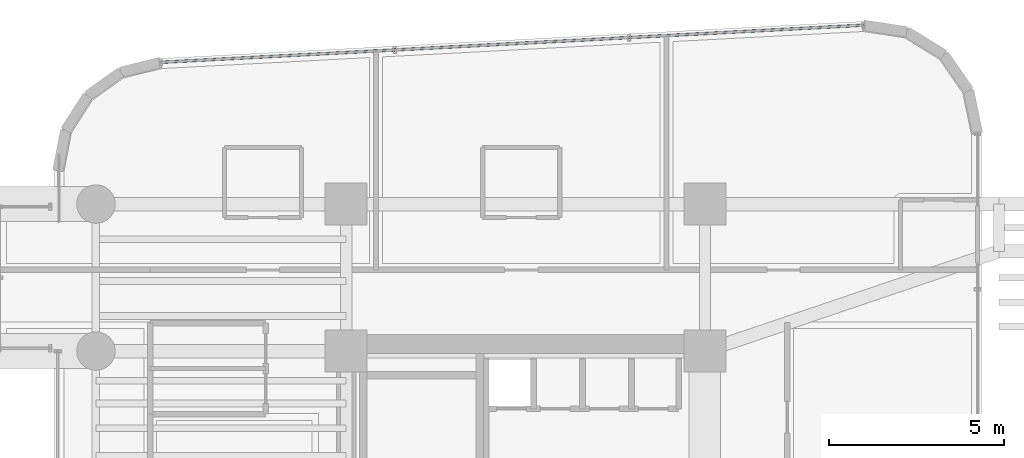
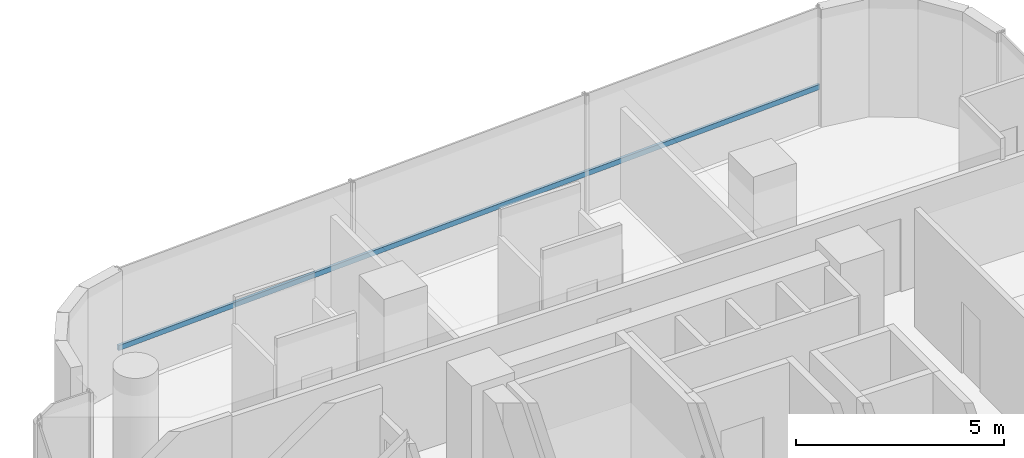
# One storey, part 22 of 36: 1 member, 1 element without a shape of its own.
"""IFC4 building model written with IfcOpenShell, lengths in metres."""

from ifc_helpers import new_model, si_unit, direction, frame, origin, origin_2d, place, context, subcontext, project, spatial, hollow_rectangle, extrude, source, transform, mapped, material, material_profile, profile_set, type_object, element, aggregate, save


model = new_model("IFC4")

# Units and contexts
model_context = context("Model", 3, precision=1e-05, world=origin(), true_north=direction((0.0, 1.0)))
body_context = subcontext(model_context, "Body", "Model", "MODEL_VIEW")
ifc_project = project(units=[si_unit("LENGTHUNIT", "METRE"), si_unit("AREAUNIT", "SQUARE_METRE"), si_unit("VOLUMEUNIT", "CUBIC_METRE"), si_unit("PLANEANGLEUNIT", "RADIAN"), si_unit("MASSUNIT", "GRAM", prefix="KILO")], contexts=[model_context])

# Site, building, storey
site_placement = place(None, origin())
site = spatial("IfcSite", under=ifc_project, at=site_placement, CompositionType="ELEMENT")
building_placement = place(site_placement, origin())
building = spatial("IfcBuilding", under=site, at=building_placement, Name="Valdorenza Pilgrim Sanctuary Tower", CompositionType="ELEMENT")
storey_placement = place(building_placement, frame((0.0, 0.0, 153.800048828125)))
storey = spatial("IfcBuildingStorey", under=building, at=storey_placement, Name="L39", CompositionType="ELEMENT", Elevation=153.800048828125)

# Curtain wall, member
ifc_material_1 = material(Name="Curtain-wall IGU glazing", Category="glass")
curtain_wall_type = type_object("IfcCurtainWallType", Name="CW-SYS-02", PredefinedType="NOTDEFINED", material=ifc_material_1)
curtain_wall_placement = place(storey_placement, origin())
curtain_wall = element("IfcCurtainWall", 1, at=curtain_wall_placement, inside=storey, type_object=curtain_wall_type, Name="L39 Curtain Wall CW-L39-1-6", PredefinedType="NOTDEFINED")
ifc_material_2 = material(Name="Anodised aluminium AW-6060", Category="aluminium")
ifc_material_profile = material_profile(ifc_material_2, hollow_rectangle(XDim=0.074951171875, YDim=0.14990234375, WallThickness=0.00390625, at=origin_2d()), Name="ALU-T 150x75x4")
ifc_profile_set = profile_set([ifc_material_profile], Name="Anodised aluminium AW-6060")
member_type = type_object("IfcMemberType", Name="CW-TRN-02", PredefinedType="USERDEFINED", material=ifc_profile_set)
shared_shape = source(origin(), body_context, "Body", "SweptSolid", [
    extrude(hollow_rectangle(XDim=0.074951171875, YDim=0.14990234375, WallThickness=0.00390625, at=origin_2d()), origin(), (0.0, 0.0, 1.0), 20.106201171875),
])
member_placement = place(storey_placement, frame((-27.952392578125, 18.850830078125, 1.119873046875), z_axis=(0.998607243081, 0.052759587441, 0.0), x_axis=(-0.052759587441, 0.998607243081, 0.0)))
member = element("IfcMember", 2, at=member_placement, type_object=member_type, Name="CW-L39-1-6 Transom 1", ObjectType="TRANSOM", PredefinedType="USERDEFINED", context=body_context, shape_type="MappedRepresentation", body=[
    mapped(shared_shape, transform((0.0, 0.0, 0.0), x_axis=(1.0, 0.0, 0.0), y_axis=(0.0, 1.0, 0.0), z_axis=(0.0, 0.0, 1.0), scale=1.0)),
])
aggregate(curtain_wall, [member])

save(model, "model.ifc")
